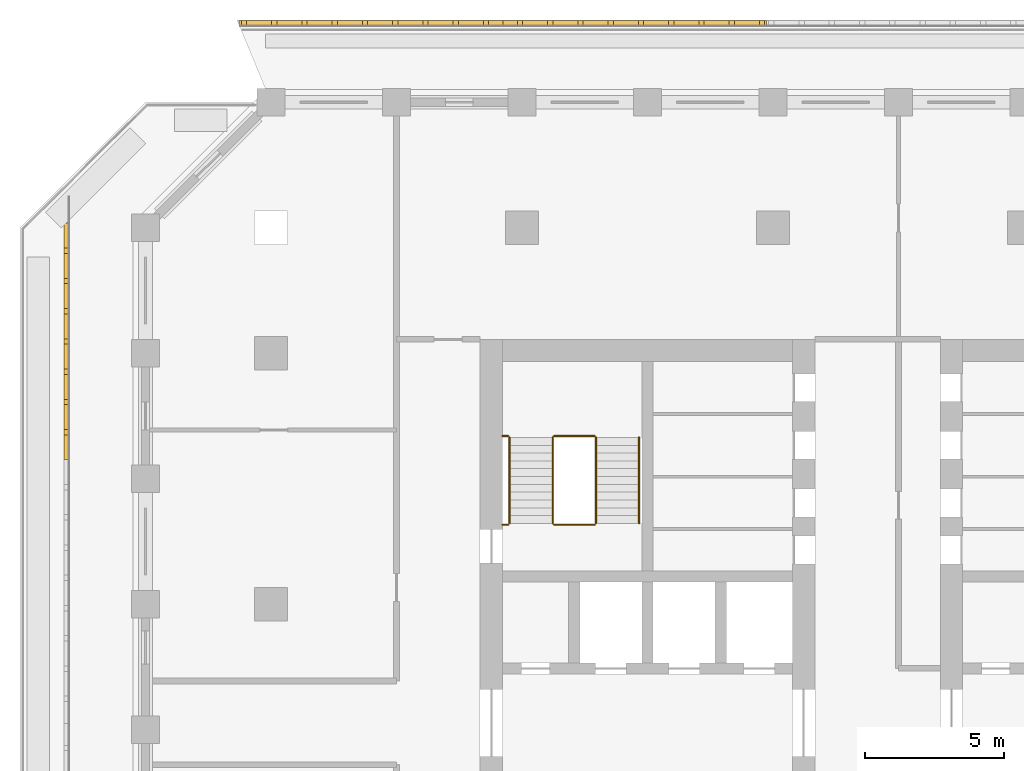
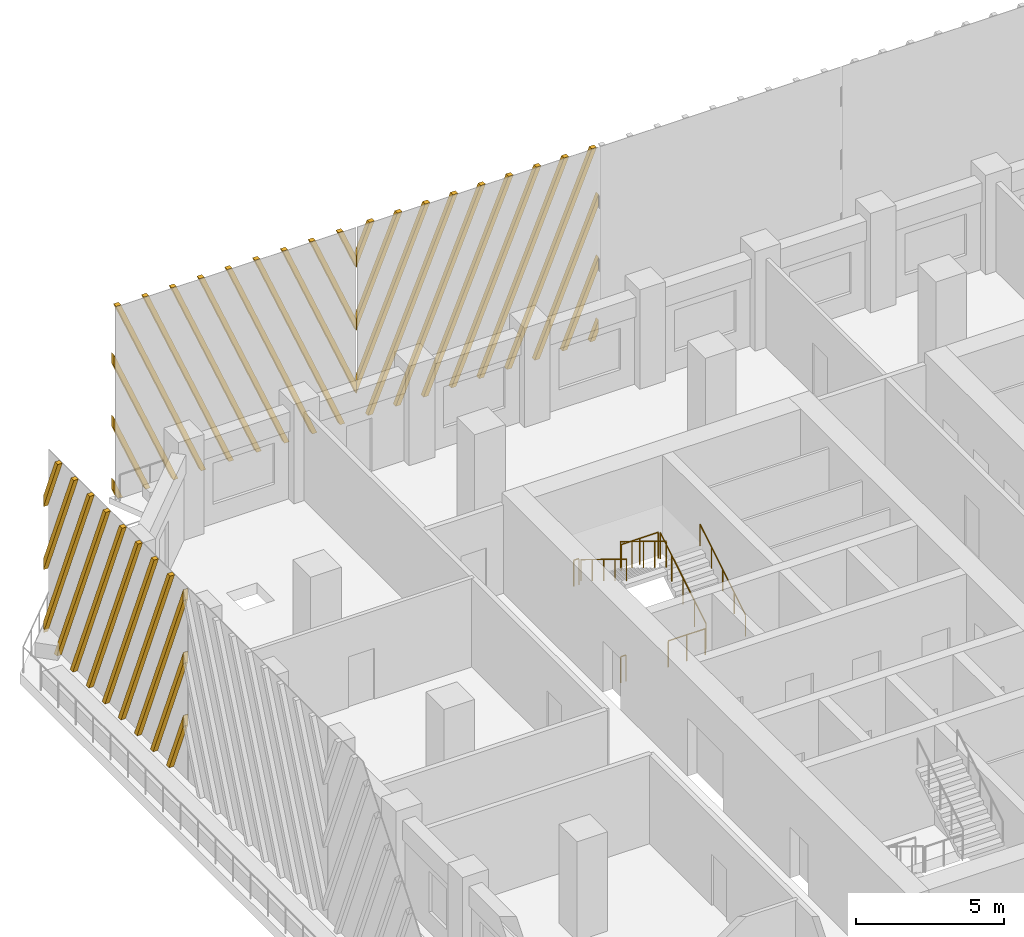
# One storey, part 13 of 16: 8 railings, 3 shading devices.
"""IFC4 building model written with IfcOpenShell, lengths in metres."""

from ifc_helpers import new_model, si_unit, direction, frame, origin, origin_2d, place, context, subcontext, project, spatial, polyline, circle, outline, extrude, source, transform, mapped, material, type_object, element, save


model = new_model("IFC4")

# Units and contexts
model_context = context("Model", 3, precision=1e-05, world=origin(), true_north=direction((0.0, 1.0)))
body_context = subcontext(model_context, "Body", "Model", "MODEL_VIEW")
ifc_project = project(units=[si_unit("LENGTHUNIT", "METRE"), si_unit("AREAUNIT", "SQUARE_METRE"), si_unit("VOLUMEUNIT", "CUBIC_METRE"), si_unit("PLANEANGLEUNIT", "RADIAN"), si_unit("MASSUNIT", "GRAM", prefix="KILO")], contexts=[model_context])

# Site, building, storey
site_placement = place(None, origin())
site = spatial("IfcSite", under=ifc_project, at=site_placement, CompositionType="ELEMENT")
building_placement = place(site_placement, origin())
building = spatial("IfcBuilding", under=site, at=building_placement, Name="Corbel Stack Research Tower", CompositionType="ELEMENT")
storey_placement = place(building_placement, frame((0.0, 0.0, 191.5)))
storey = spatial("IfcBuildingStorey", under=building, at=storey_placement, Name="L43", CompositionType="ELEMENT", Elevation=191.5)

# Railings
ifc_material_1 = material(Name="Steel S355", Category="steel")
railing_type_1 = type_object("IfcRailingType", Name="Stair guard 1100", PredefinedType="GUARDRAIL", material=ifc_material_1)
railing_1_placement = place(storey_placement, frame((-6.35009765625, 11.89990234375, 0.1708984375)))
element("IfcRailing", 1, at=railing_1_placement, inside=storey, type_object=railing_type_1, Name="L43 ST-W2 stair guard 1", PredefinedType="GUARDRAIL", context=body_context, shape_type="SweptSolid", body=[
    extrude(circle(Radius=0.02392578125, at=origin_2d()), frame((0.0, 0.0, 1.076171875), z_axis=(0.0, 0.853666305674, 0.52082035152), x_axis=(-1.0, 0.0, 0.0)), (0.0, 0.0, 1.0), 3.608154296875),
    extrude(circle(Radius=0.02099609375, at=origin_2d()), origin(), (0.0, 0.0, 1.0), 1.052001953125),
    extrude(circle(Radius=0.02099609375, at=origin_2d()), frame((0.0, 0.77001953125, 0.4697265625)), (0.0, 0.0, 1.0), 1.052001953125),
    extrude(circle(Radius=0.02099609375, at=origin_2d()), frame((0.0, 1.5400390625, 0.939453125)), (0.0, 0.0, 1.0), 1.052001953125),
    extrude(circle(Radius=0.02099609375, at=origin_2d()), frame((0.0, 2.31005859375, 1.409423828125)), (0.0, 0.0, 1.0), 1.052001953125),
    extrude(circle(Radius=0.02099609375, at=origin_2d()), frame((0.0, 3.080078125, 1.879150390625)), (0.0, 0.0, 1.0), 1.052001953125),
])
railing_2_placement = place(storey_placement, frame((-6.39990234375, 15.030029296875, 2.050048828125)))
element("IfcRailing", 2, at=railing_2_placement, inside=storey, type_object=railing_type_1, Name="L43 ST-W2 stair guard 2", PredefinedType="GUARDRAIL", context=body_context, shape_type="SweptSolid", body=[
    extrude(circle(Radius=0.02392578125, at=origin_2d()), frame((0.0, 0.0, 1.076171875), z_axis=(-1.0, 0.0, 0.0), x_axis=(0.0, -1.0, 0.0)), (0.0, 0.0, 1.0), 1.4501953125),
    extrude(circle(Radius=0.02099609375, at=origin_2d()), origin(), (0.0, 0.0, 1.0), 1.052001953125),
    extrude(circle(Radius=0.02099609375, at=origin_2d()), frame((-0.72509765625, 0.0, 0.0)), (0.0, 0.0, 1.0), 1.052001953125),
    extrude(circle(Radius=0.02099609375, at=origin_2d()), frame((-1.4501953125, 0.0, 0.0)), (0.0, 0.0, 1.0), 1.052001953125),
])
railing_3_placement = place(storey_placement, frame((-9.5, 15.030029296875, 2.050048828125)))
element("IfcRailing", 3, at=railing_3_placement, inside=storey, type_object=railing_type_1, Name="L43 ST-W2 stair guard 3", PredefinedType="GUARDRAIL", context=body_context, shape_type="SweptSolid", body=[
    extrude(circle(Radius=0.02392578125, at=origin_2d()), frame((0.0, 0.0, 1.076171875), z_axis=(-1.0, 0.0, 0.0), x_axis=(0.0, -1.0, 0.0)), (0.0, 0.0, 1.0), 0.199951171875),
    extrude(circle(Radius=0.02099609375, at=origin_2d()), origin(), (0.0, 0.0, 1.0), 1.052001953125),
    extrude(circle(Radius=0.02099609375, at=origin_2d()), frame((-0.199951171875, 0.0, 0.0)), (0.0, 0.0, 1.0), 1.052001953125),
])
railing_4_placement = place(storey_placement, frame((-7.89990234375, 14.97998046875, 2.220947265625)))
element("IfcRailing", 4, at=railing_4_placement, inside=storey, type_object=railing_type_1, Name="L43 ST-W2 stair guard 4", PredefinedType="GUARDRAIL", context=body_context, shape_type="SweptSolid", body=[
    extrude(circle(Radius=0.02392578125, at=origin_2d()), frame((0.0, 0.0, 1.076171875), z_axis=(0.0, -0.853666305674, 0.52082035152), x_axis=(1.0, 0.0, 0.0)), (0.0, 0.0, 1.0), 3.608154296875),
    extrude(circle(Radius=0.02099609375, at=origin_2d()), origin(), (0.0, 0.0, 1.0), 1.052001953125),
    extrude(circle(Radius=0.02099609375, at=origin_2d()), frame((0.0, -0.77001953125, 0.4697265625)), (0.0, 0.0, 1.0), 1.052001953125),
    extrude(circle(Radius=0.02099609375, at=origin_2d()), frame((0.0, -1.5400390625, 0.939453125)), (0.0, 0.0, 1.0), 1.052001953125),
    extrude(circle(Radius=0.02099609375, at=origin_2d()), frame((0.0, -2.31005859375, 1.409423828125)), (0.0, 0.0, 1.0), 1.052001953125),
    extrude(circle(Radius=0.02099609375, at=origin_2d()), frame((0.0, -3.080078125, 1.879150390625)), (0.0, 0.0, 1.0), 1.052001953125),
])
railing_5_placement = place(storey_placement, frame((-6.39990234375, 11.85009765625, 0.0)))
element("IfcRailing", 5, at=railing_5_placement, inside=storey, type_object=railing_type_1, Name="L43 ST-W2 stair guard 5", PredefinedType="GUARDRAIL", context=body_context, shape_type="SweptSolid", body=[
    extrude(circle(Radius=0.02392578125, at=origin_2d()), frame((0.0, 0.0, 1.076171875), z_axis=(-1.0, 0.0, 0.0), x_axis=(0.0, -1.0, 0.0)), (0.0, 0.0, 1.0), 1.4501953125),
    extrude(circle(Radius=0.02099609375, at=origin_2d()), origin(), (0.0, 0.0, 1.0), 1.052001953125),
    extrude(circle(Radius=0.02099609375, at=origin_2d()), frame((-0.72509765625, 0.0, 0.0)), (0.0, 0.0, 1.0), 1.052001953125),
    extrude(circle(Radius=0.02099609375, at=origin_2d()), frame((-1.4501953125, 0.0, 0.0)), (0.0, 0.0, 1.0), 1.052001953125),
])
railing_6_placement = place(storey_placement, frame((-9.5, 11.85009765625, 0.0)))
element("IfcRailing", 6, at=railing_6_placement, inside=storey, type_object=railing_type_1, Name="L43 ST-W2 stair guard 6", PredefinedType="GUARDRAIL", context=body_context, shape_type="SweptSolid", body=[
    extrude(circle(Radius=0.02392578125, at=origin_2d()), frame((0.0, 0.0, 1.076171875), z_axis=(-1.0, 0.0, 0.0), x_axis=(0.0, -1.0, 0.0)), (0.0, 0.0, 1.0), 0.199951171875),
    extrude(circle(Radius=0.02099609375, at=origin_2d()), origin(), (0.0, 0.0, 1.0), 1.052001953125),
    extrude(circle(Radius=0.02099609375, at=origin_2d()), frame((-0.199951171875, 0.0, 0.0)), (0.0, 0.0, 1.0), 1.052001953125),
])
ifc_material_2 = material(Name="Steel S355", Category="steel")
railing_type_2 = type_object("IfcRailingType", Name="Stair handrail 900", PredefinedType="HANDRAIL", material=ifc_material_2)
railing_7_placement = place(storey_placement, frame((-4.800048828125, 11.89990234375, 0.1708984375)))
element("IfcRailing", 7, at=railing_7_placement, inside=storey, type_object=railing_type_2, Name="L43 ST-W2 stair handrail 1", PredefinedType="HANDRAIL", context=body_context, shape_type="SweptSolid", body=[
    extrude(circle(Radius=0.02392578125, at=origin_2d()), frame((0.0, 0.0, 0.8759765625), z_axis=(0.0, 0.853666305674, 0.52082035152), x_axis=(-1.0, 0.0, 0.0)), (0.0, 0.0, 1.0), 3.608154296875),
    extrude(circle(Radius=0.02099609375, at=origin_2d()), origin(), (0.0, 0.0, 1.0), 0.851806640625),
    extrude(circle(Radius=0.02099609375, at=origin_2d()), frame((0.0, 0.77001953125, 0.4697265625)), (0.0, 0.0, 1.0), 0.851806640625),
    extrude(circle(Radius=0.02099609375, at=origin_2d()), frame((0.0, 1.5400390625, 0.939453125)), (0.0, 0.0, 1.0), 0.851806640625),
    extrude(circle(Radius=0.02099609375, at=origin_2d()), frame((0.0, 2.31005859375, 1.409423828125)), (0.0, 0.0, 1.0), 0.851806640625),
    extrude(circle(Radius=0.02099609375, at=origin_2d()), frame((0.0, 3.080078125, 1.879150390625)), (0.0, 0.0, 1.0), 0.851806640625),
])
railing_8_placement = place(storey_placement, frame((-9.449951171875, 14.97998046875, 2.220947265625)))
element("IfcRailing", 8, at=railing_8_placement, inside=storey, type_object=railing_type_2, Name="L43 ST-W2 stair handrail 2", PredefinedType="HANDRAIL", context=body_context, shape_type="SweptSolid", body=[
    extrude(circle(Radius=0.02392578125, at=origin_2d()), frame((0.0, 0.0, 0.8759765625), z_axis=(0.0, -0.853666305674, 0.52082035152), x_axis=(1.0, 0.0, 0.0)), (0.0, 0.0, 1.0), 3.608154296875),
    extrude(circle(Radius=0.02099609375, at=origin_2d()), origin(), (0.0, 0.0, 1.0), 0.851806640625),
    extrude(circle(Radius=0.02099609375, at=origin_2d()), frame((0.0, -0.77001953125, 0.4697265625)), (0.0, 0.0, 1.0), 0.851806640625),
    extrude(circle(Radius=0.02099609375, at=origin_2d()), frame((0.0, -1.5400390625, 0.939453125)), (0.0, 0.0, 1.0), 0.851806640625),
    extrude(circle(Radius=0.02099609375, at=origin_2d()), frame((0.0, -2.31005859375, 1.409423828125)), (0.0, 0.0, 1.0), 0.851806640625),
    extrude(circle(Radius=0.02099609375, at=origin_2d()), frame((0.0, -3.080078125, 1.879150390625)), (0.0, 0.0, 1.0), 0.851806640625),
])

# Shading devices
ifc_material_3 = material(Name="Precast terracotta", Category="masonry")
shading_device_type = type_object("IfcShadingDeviceType", Name="Terracotta screen panel", PredefinedType="USERDEFINED", material=ifc_material_3)
shared_shape_1 = source(origin(), body_context, "Body", "SweptSolid", [
    extrude(outline(polyline([(0.70361328125, 7.949951171875), (0.513427734375, 7.949951171875), (0.0, 6.720458984375), (0.0, 6.265380859375), (0.70361328125, 7.949951171875)])), frame((0.0, 0.0, 0.0), z_axis=(0.0, -1.0, 0.0), x_axis=(1.0, 0.0, 0.0)), (0.0, 0.0, 1.0), 0.179931640625),
    extrude(outline(polyline([(1.7880859375, 7.949951171875), (1.59814453125, 7.949951171875), (0.0, 4.123291015625), (0.0, 3.668212890625), (1.7880859375, 7.949951171875)])), frame((0.0, 0.0, 0.0), z_axis=(0.0, -1.0, 0.0), x_axis=(1.0, 0.0, 0.0)), (0.0, 0.0, 1.0), 0.179931640625),
    extrude(outline(polyline([(2.872802734375, 7.949951171875), (2.682861328125, 7.949951171875), (0.0, 1.526123046875), (0.0, 1.071044921875), (2.872802734375, 7.949951171875)])), frame((0.0, 0.0, 0.0), z_axis=(0.0, -1.0, 0.0), x_axis=(1.0, 0.0, 0.0)), (0.0, 0.0, 1.0), 0.179931640625),
    extrude(outline(polyline([(0.63720703125, 0.0), (3.95751953125, 7.949951171875), (3.767578125, 7.949951171875), (0.447265625, 0.0), (0.63720703125, 0.0)])), frame((0.0, 0.0, 0.0), z_axis=(0.0, -1.0, 0.0), x_axis=(1.0, 0.0, 0.0)), (0.0, 0.0, 1.0), 0.179931640625),
    extrude(outline(polyline([(1.721923828125, 0.0), (5.042236328125, 7.949951171875), (4.852294921875, 7.949951171875), (1.531982421875, 0.0), (1.721923828125, 0.0)])), frame((0.0, 0.0, 0.0), z_axis=(0.0, -1.0, 0.0), x_axis=(1.0, 0.0, 0.0)), (0.0, 0.0, 1.0), 0.179931640625),
    extrude(outline(polyline([(2.806640625, 0.0), (6.126708984375, 7.949951171875), (5.936767578125, 7.949951171875), (2.61669921875, 0.0), (2.806640625, 0.0)])), frame((0.0, 0.0, 0.0), z_axis=(0.0, -1.0, 0.0), x_axis=(1.0, 0.0, 0.0)), (0.0, 0.0, 1.0), 0.179931640625),
    extrude(outline(polyline([(3.891357421875, 0.0), (7.21142578125, 7.949951171875), (7.021484375, 7.949951171875), (3.701416015625, 0.0), (3.891357421875, 0.0)])), frame((0.0, 0.0, 0.0), z_axis=(0.0, -1.0, 0.0), x_axis=(1.0, 0.0, 0.0)), (0.0, 0.0, 1.0), 0.179931640625),
    extrude(outline(polyline([(4.97607421875, 0.0), (8.296142578125, 7.949951171875), (8.106201171875, 7.949951171875), (4.785888671875, 0.0), (4.97607421875, 0.0)])), frame((0.0, 0.0, 0.0), z_axis=(0.0, -1.0, 0.0), x_axis=(1.0, 0.0, 0.0)), (0.0, 0.0, 1.0), 0.179931640625),
    extrude(outline(polyline([(6.060791015625, 0.0), (9.380859375, 7.949951171875), (9.19091796875, 7.949951171875), (5.87060546875, 0.0), (6.060791015625, 0.0)])), frame((0.0, 0.0, 0.0), z_axis=(0.0, -1.0, 0.0), x_axis=(1.0, 0.0, 0.0)), (0.0, 0.0, 1.0), 0.179931640625),
    extrude(outline(polyline([(7.145263671875, 0.0), (9.45556640625, 5.531982421875), (9.45556640625, 5.98681640625), (6.955322265625, 0.0), (7.145263671875, 0.0)])), frame((0.0, 0.0, 0.0), z_axis=(0.0, -1.0, 0.0), x_axis=(1.0, 0.0, 0.0)), (0.0, 0.0, 1.0), 0.179931640625),
    extrude(outline(polyline([(8.22998046875, 0.0), (9.45556640625, 2.934814453125), (9.45556640625, 3.3896484375), (8.0400390625, 0.0), (8.22998046875, 0.0)])), frame((0.0, 0.0, 0.0), z_axis=(0.0, -1.0, 0.0), x_axis=(1.0, 0.0, 0.0)), (0.0, 0.0, 1.0), 0.179931640625),
    extrude(outline(polyline([(9.314697265625, 0.0), (9.45556640625, 0.337646484375), (9.45556640625, 0.79248046875), (9.124755859375, 0.0), (9.314697265625, 0.0)])), frame((0.0, 0.0, 0.0), z_axis=(0.0, -1.0, 0.0), x_axis=(1.0, 0.0, 0.0)), (0.0, 0.0, 1.0), 0.179931640625),
])
shading_device_1_placement = place(storey_placement, frame((-9.68359375, 29.75, 0.0), z_axis=(0.0, 0.0, 1.0), x_axis=(-1.0, 0.0, 0.0)))
element("IfcShadingDevice", 9, at=shading_device_1_placement, inside=storey, type_object=shading_device_type, Name="Terracotta screen L43 N5", ObjectType="SCREEN", PredefinedType="USERDEFINED", context=body_context, shape_type="MappedRepresentation", body=[
    mapped(shared_shape_1, transform((0.0, 0.0, 0.0))),
])
shared_shape_2 = source(origin(), body_context, "Body", "SweptSolid", [
    extrude(outline(polyline([(0.3310546875, 0.0), (0.0, 0.79248046875), (0.0, 0.337646484375), (0.14111328125, 0.0), (0.3310546875, 0.0)])), frame((0.0, 0.0, 0.0), z_axis=(0.0, -1.0, 0.0), x_axis=(1.0, 0.0, 0.0)), (0.0, 0.0, 1.0), 0.179931640625),
    extrude(outline(polyline([(1.41552734375, 0.0), (0.0, 3.3896484375), (0.0, 2.934814453125), (1.2255859375, 0.0), (1.41552734375, 0.0)])), frame((0.0, 0.0, 0.0), z_axis=(0.0, -1.0, 0.0), x_axis=(1.0, 0.0, 0.0)), (0.0, 0.0, 1.0), 0.179931640625),
    extrude(outline(polyline([(2.500244140625, 0.0), (0.0, 5.98681640625), (0.0, 5.531982421875), (2.310302734375, 0.0), (2.500244140625, 0.0)])), frame((0.0, 0.0, 0.0), z_axis=(0.0, -1.0, 0.0), x_axis=(1.0, 0.0, 0.0)), (0.0, 0.0, 1.0), 0.179931640625),
    extrude(outline(polyline([(3.5849609375, 0.0), (0.264892578125, 7.949951171875), (0.07470703125, 7.949951171875), (3.39501953125, 0.0), (3.5849609375, 0.0)])), frame((0.0, 0.0, 0.0), z_axis=(0.0, -1.0, 0.0), x_axis=(1.0, 0.0, 0.0)), (0.0, 0.0, 1.0), 0.179931640625),
    extrude(outline(polyline([(4.669677734375, 0.0), (1.349609375, 7.949951171875), (1.159423828125, 7.949951171875), (4.4794921875, 0.0), (4.669677734375, 0.0)])), frame((0.0, 0.0, 0.0), z_axis=(0.0, -1.0, 0.0), x_axis=(1.0, 0.0, 0.0)), (0.0, 0.0, 1.0), 0.179931640625),
    extrude(outline(polyline([(5.75439453125, 0.0), (2.43408203125, 7.949951171875), (2.244140625, 7.949951171875), (5.564208984375, 0.0), (5.75439453125, 0.0)])), frame((0.0, 0.0, 0.0), z_axis=(0.0, -1.0, 0.0), x_axis=(1.0, 0.0, 0.0)), (0.0, 0.0, 1.0), 0.179931640625),
    extrude(outline(polyline([(6.839111328125, 0.0), (3.518798828125, 7.949951171875), (3.328857421875, 7.949951171875), (6.64892578125, 0.0), (6.839111328125, 0.0)])), frame((0.0, 0.0, 0.0), z_axis=(0.0, -1.0, 0.0), x_axis=(1.0, 0.0, 0.0)), (0.0, 0.0, 1.0), 0.179931640625),
    extrude(outline(polyline([(7.923583984375, 0.0), (4.603515625, 7.949951171875), (4.41357421875, 7.949951171875), (7.733642578125, 0.0), (7.923583984375, 0.0)])), frame((0.0, 0.0, 0.0), z_axis=(0.0, -1.0, 0.0), x_axis=(1.0, 0.0, 0.0)), (0.0, 0.0, 1.0), 0.179931640625),
    extrude(outline(polyline([(9.00830078125, 0.0), (5.68798828125, 7.949951171875), (5.498046875, 7.949951171875), (8.818359375, 0.0), (9.00830078125, 0.0)])), frame((0.0, 0.0, 0.0), z_axis=(0.0, -1.0, 0.0), x_axis=(1.0, 0.0, 0.0)), (0.0, 0.0, 1.0), 0.179931640625),
    extrude(outline(polyline([(6.772705078125, 7.949951171875), (6.582763671875, 7.949951171875), (9.45556640625, 1.071044921875), (9.45556640625, 1.526123046875), (6.772705078125, 7.949951171875)])), frame((0.0, 0.0, 0.0), z_axis=(0.0, -1.0, 0.0), x_axis=(1.0, 0.0, 0.0)), (0.0, 0.0, 1.0), 0.179931640625),
    extrude(outline(polyline([(7.857421875, 7.949951171875), (7.66748046875, 7.949951171875), (9.45556640625, 3.668212890625), (9.45556640625, 4.123291015625), (7.857421875, 7.949951171875)])), frame((0.0, 0.0, 0.0), z_axis=(0.0, -1.0, 0.0), x_axis=(1.0, 0.0, 0.0)), (0.0, 0.0, 1.0), 0.179931640625),
    extrude(outline(polyline([(8.942138671875, 7.949951171875), (8.752197265625, 7.949951171875), (9.45556640625, 6.265380859375), (9.45556640625, 6.720458984375), (8.942138671875, 7.949951171875)])), frame((0.0, 0.0, 0.0), z_axis=(0.0, -1.0, 0.0), x_axis=(1.0, 0.0, 0.0)), (0.0, 0.0, 1.0), 0.179931640625),
])
shading_device_2_placement = place(storey_placement, frame((-0.227783203125, 29.75, 0.0), z_axis=(0.0, 0.0, 1.0), x_axis=(-1.0, 0.0, 0.0)))
element("IfcShadingDevice", 10, at=shading_device_2_placement, inside=storey, type_object=shading_device_type, Name="Terracotta screen L43 N4", ObjectType="SCREEN", PredefinedType="USERDEFINED", context=body_context, shape_type="MappedRepresentation", body=[
    mapped(shared_shape_2, transform((0.0, 0.0, 0.0))),
])
shared_shape_3 = source(origin(), body_context, "Body", "SweptSolid", [
    extrude(outline(polyline([(0.974609375, 7.949951171875), (0.78466796875, 7.949951171875), (0.0, 6.071044921875), (0.0, 5.6162109375), (0.974609375, 7.949951171875)])), frame((0.0, 0.0, 0.0), z_axis=(0.0, -1.0, 0.0), x_axis=(1.0, 0.0, 0.0)), (0.0, 0.0, 1.0), 0.179931640625),
    extrude(outline(polyline([(2.059326171875, 7.949951171875), (1.869384765625, 7.949951171875), (0.0, 3.473876953125), (0.0, 3.01904296875), (2.059326171875, 7.949951171875)])), frame((0.0, 0.0, 0.0), z_axis=(0.0, -1.0, 0.0), x_axis=(1.0, 0.0, 0.0)), (0.0, 0.0, 1.0), 0.179931640625),
    extrude(outline(polyline([(3.14404296875, 7.949951171875), (2.9541015625, 7.949951171875), (0.0, 0.876708984375), (0.0, 0.421875), (3.14404296875, 7.949951171875)])), frame((0.0, 0.0, 0.0), z_axis=(0.0, -1.0, 0.0), x_axis=(1.0, 0.0, 0.0)), (0.0, 0.0, 1.0), 0.179931640625),
    extrude(outline(polyline([(0.908447265625, 0.0), (4.228759765625, 7.949951171875), (4.038818359375, 7.949951171875), (0.718505859375, 0.0), (0.908447265625, 0.0)])), frame((0.0, 0.0, 0.0), z_axis=(0.0, -1.0, 0.0), x_axis=(1.0, 0.0, 0.0)), (0.0, 0.0, 1.0), 0.179931640625),
    extrude(outline(polyline([(1.9931640625, 0.0), (5.313232421875, 7.949951171875), (5.123291015625, 7.949951171875), (1.80322265625, 0.0), (1.9931640625, 0.0)])), frame((0.0, 0.0, 0.0), z_axis=(0.0, -1.0, 0.0), x_axis=(1.0, 0.0, 0.0)), (0.0, 0.0, 1.0), 0.179931640625),
    extrude(outline(polyline([(3.077880859375, 0.0), (6.39794921875, 7.949951171875), (6.2080078125, 7.949951171875), (2.8876953125, 0.0), (3.077880859375, 0.0)])), frame((0.0, 0.0, 0.0), z_axis=(0.0, -1.0, 0.0), x_axis=(1.0, 0.0, 0.0)), (0.0, 0.0, 1.0), 0.179931640625),
    extrude(outline(polyline([(4.16259765625, 0.0), (7.482666015625, 7.949951171875), (7.292724609375, 7.949951171875), (3.972412109375, 0.0), (4.16259765625, 0.0)])), frame((0.0, 0.0, 0.0), z_axis=(0.0, -1.0, 0.0), x_axis=(1.0, 0.0, 0.0)), (0.0, 0.0, 1.0), 0.179931640625),
    extrude(outline(polyline([(5.247314453125, 0.0), (8.5673828125, 7.949951171875), (8.377197265625, 7.949951171875), (5.05712890625, 0.0), (5.247314453125, 0.0)])), frame((0.0, 0.0, 0.0), z_axis=(0.0, -1.0, 0.0), x_axis=(1.0, 0.0, 0.0)), (0.0, 0.0, 1.0), 0.179931640625),
    extrude(outline(polyline([(6.331787109375, 0.0), (9.45556640625, 7.479736328125), (9.45556640625, 7.934814453125), (6.141845703125, 0.0), (6.331787109375, 0.0)])), frame((0.0, 0.0, 0.0), z_axis=(0.0, -1.0, 0.0), x_axis=(1.0, 0.0, 0.0)), (0.0, 0.0, 1.0), 0.179931640625),
    extrude(outline(polyline([(7.41650390625, 0.0), (9.45556640625, 4.882568359375), (9.45556640625, 5.337646484375), (7.2265625, 0.0), (7.41650390625, 0.0)])), frame((0.0, 0.0, 0.0), z_axis=(0.0, -1.0, 0.0), x_axis=(1.0, 0.0, 0.0)), (0.0, 0.0, 1.0), 0.179931640625),
    extrude(outline(polyline([(8.501220703125, 0.0), (9.45556640625, 2.285400390625), (9.45556640625, 2.740478515625), (8.311279296875, 0.0), (8.501220703125, 0.0)])), frame((0.0, 0.0, 0.0), z_axis=(0.0, -1.0, 0.0), x_axis=(1.0, 0.0, 0.0)), (0.0, 0.0, 1.0), 0.179931640625),
])
shading_device_3_placement = place(storey_placement, frame((-25.25, 23.63916015625, 0.0), z_axis=(0.0, 0.0, 1.0), x_axis=(0.0, -1.0, 0.0)))
element("IfcShadingDevice", 11, at=shading_device_3_placement, inside=storey, type_object=shading_device_type, Name="Terracotta screen L43 W1", ObjectType="SCREEN", PredefinedType="USERDEFINED", context=body_context, shape_type="MappedRepresentation", body=[
    mapped(shared_shape_3, transform((0.0, 0.0, 0.0))),
])

save(model, "model.ifc")
